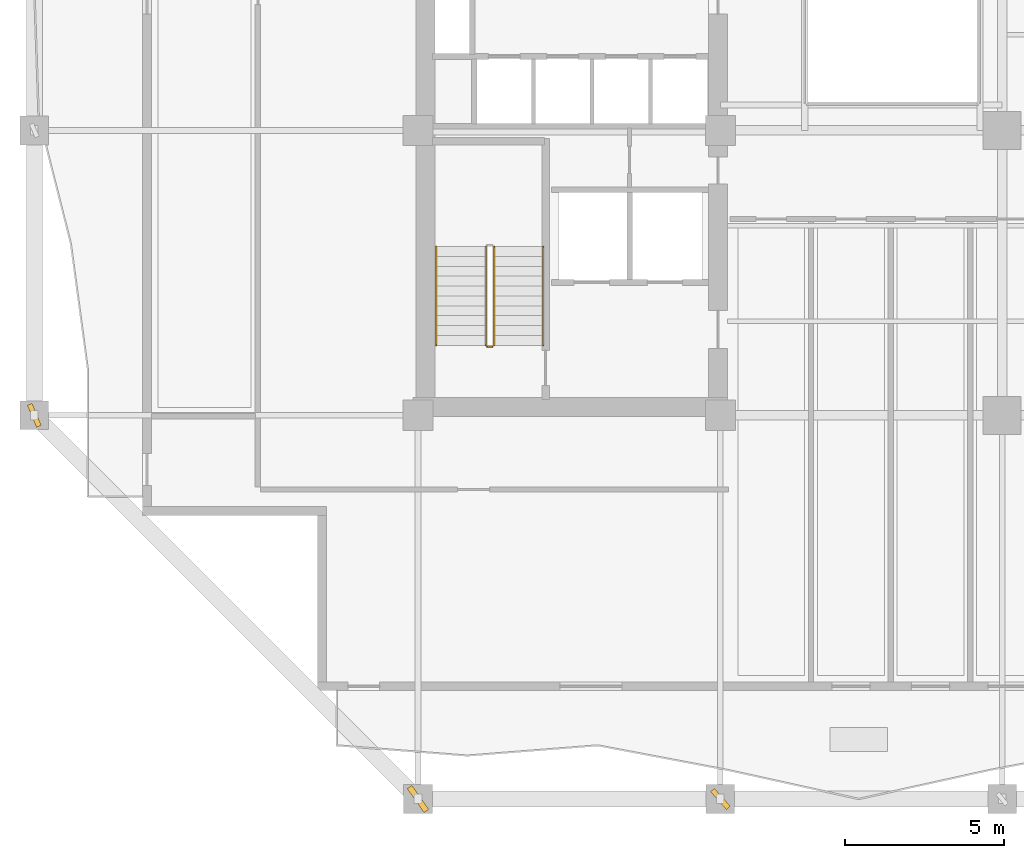
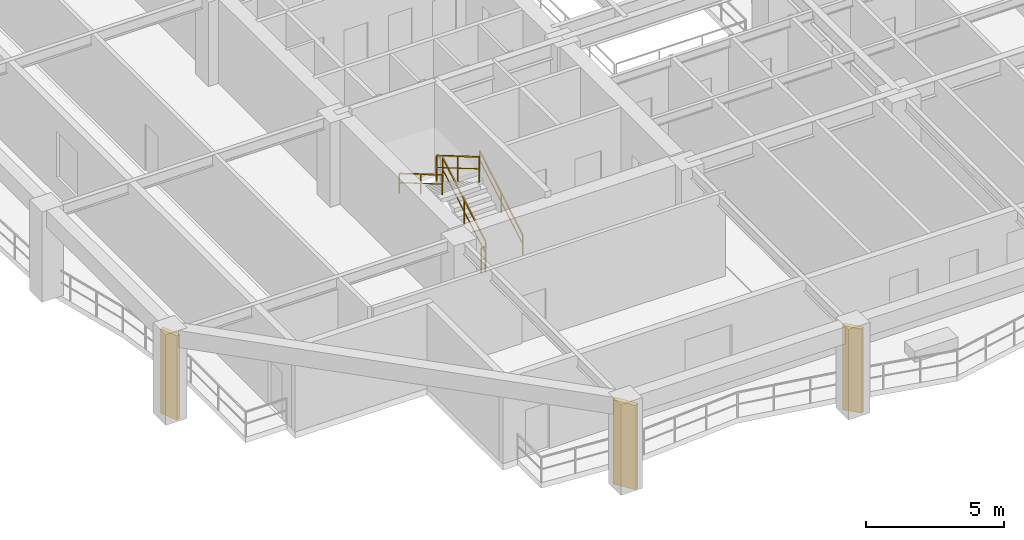
# One storey, part 7 of 13: 5 railings, 3 shading devices.
"""IFC4 building model written with IfcOpenShell, lengths in metres."""

from ifc_helpers import new_model, si_unit, direction, frame, origin, origin_2d, place, context, subcontext, project, spatial, rectangle, extrude, material, type_object, element, save


model = new_model("IFC4")

# Units and contexts
model_context = context("Model", 3, precision=1e-05, world=origin(), true_north=direction((0.0, 1.0)))
body_context = subcontext(model_context, "Body", "Model", "MODEL_VIEW")
ifc_project = project(units=[si_unit("LENGTHUNIT", "METRE"), si_unit("AREAUNIT", "SQUARE_METRE"), si_unit("VOLUMEUNIT", "CUBIC_METRE"), si_unit("PLANEANGLEUNIT", "RADIAN"), si_unit("MASSUNIT", "GRAM", prefix="KILO")], contexts=[model_context])

# Site, building, storey
site_placement = place(None, origin())
site = spatial("IfcSite", under=ifc_project, at=site_placement, CompositionType="ELEMENT")
building_placement = place(site_placement, origin())
building = spatial("IfcBuilding", under=site, at=building_placement, Name="Kundavana Baori Tower", CompositionType="ELEMENT")
storey_placement = place(building_placement, frame((0.0, 0.0, 70.0)))
storey = spatial("IfcBuildingStorey", under=building, at=storey_placement, Name="L16", CompositionType="ELEMENT", Elevation=70.0)

# Railings
ifc_material_1 = material(Name="Architectural Patinated Bronze Metalwork")
railing_type_1 = type_object("IfcRailingType", Name="RL-GRD-1150", PredefinedType="GUARDRAIL", material=ifc_material_1)
railing_1_placement = place(storey_placement, frame((17.840087890625, 17.449951171875, 0.181884765625)))
element("IfcRailing", 1, at=railing_1_placement, inside=storey, type_object=railing_type_1, Name="L16 ST1 stair guard 1", PredefinedType="GUARDRAIL", context=body_context, shape_type="SweptSolid", body=[
    extrude(rectangle(XDim=0.048095703125, YDim=0.048095703125, at=origin_2d()), frame((0.0, 0.0, 1.1259765625), z_axis=(0.0, 0.862598821094, 0.505888598258), x_axis=(-1.0, 0.0, 0.0)), (0.0, 0.0, 1.0), 3.593994140625),
    extrude(rectangle(XDim=0.03125, YDim=0.03125, at=origin_2d()), frame((0.0, 0.0, 0.597900390625), z_axis=(0.0, 0.862598821094, 0.505888598258), x_axis=(-1.0, 0.0, 0.0)), (0.0, 0.0, 1.0), 3.593994140625),
    extrude(rectangle(XDim=0.0419921875, YDim=0.0419921875, at=origin_2d()), origin(), (0.0, 0.0, 1.0), 1.101806640625),
    extrude(rectangle(XDim=0.0419921875, YDim=0.0419921875, at=origin_2d()), frame((0.0, 1.550048828125, 0.9091796875)), (0.0, 0.0, 1.0), 1.101806640625),
    extrude(rectangle(XDim=0.0419921875, YDim=0.0419921875, at=origin_2d()), frame((0.0, 3.10009765625, 1.818115234375)), (0.0, 0.0, 1.0), 1.101806640625),
])
railing_2_placement = place(storey_placement, frame((17.580078125, 20.550048828125, 2.181884765625)))
element("IfcRailing", 2, at=railing_2_placement, inside=storey, type_object=railing_type_1, Name="L16 ST1 stair guard 3", PredefinedType="GUARDRAIL", context=body_context, shape_type="SweptSolid", body=[
    extrude(rectangle(XDim=0.048095703125, YDim=0.048095703125, at=origin_2d()), frame((0.0, 0.0, 1.1259765625), z_axis=(0.0, -0.862598821094, 0.505888598258), x_axis=(1.0, 0.0, 0.0)), (0.0, 0.0, 1.0), 3.593994140625),
    extrude(rectangle(XDim=0.03125, YDim=0.03125, at=origin_2d()), frame((0.0, 0.0, 0.597900390625), z_axis=(0.0, -0.862598821094, 0.505888598258), x_axis=(1.0, 0.0, 0.0)), (0.0, 0.0, 1.0), 3.593994140625),
    extrude(rectangle(XDim=0.0419921875, YDim=0.0419921875, at=origin_2d()), origin(), (0.0, 0.0, 1.0), 1.101806640625),
    extrude(rectangle(XDim=0.0419921875, YDim=0.0419921875, at=origin_2d()), frame((0.0, -1.550048828125, 0.9091796875)), (0.0, 0.0, 1.0), 1.101806640625),
    extrude(rectangle(XDim=0.0419921875, YDim=0.0419921875, at=origin_2d()), frame((0.0, -3.10009765625, 1.818115234375)), (0.0, 0.0, 1.0), 1.101806640625),
])
railing_3_placement = place(storey_placement, frame((17.7900390625, 17.39990234375, 0.0)))
element("IfcRailing", 3, at=railing_3_placement, inside=storey, type_object=railing_type_1, Name="L16 ST1 stair guard 4", PredefinedType="GUARDRAIL", context=body_context, shape_type="SweptSolid", body=[
    extrude(rectangle(XDim=0.048095703125, YDim=0.048095703125, at=origin_2d()), frame((0.0, 0.0, 1.1259765625), z_axis=(-1.0, 0.0, 0.0), x_axis=(0.0, -1.0, 0.0)), (0.0, 0.0, 1.0), 0.16015625),
    extrude(rectangle(XDim=0.03125, YDim=0.03125, at=origin_2d()), frame((0.0, 0.0, 0.597900390625), z_axis=(-1.0, 0.0, 0.0), x_axis=(0.0, -1.0, 0.0)), (0.0, 0.0, 1.0), 0.16015625),
    extrude(rectangle(XDim=0.0419921875, YDim=0.0419921875, at=origin_2d()), origin(), (0.0, 0.0, 1.0), 1.101806640625),
    extrude(rectangle(XDim=0.0419921875, YDim=0.0419921875, at=origin_2d()), frame((-0.16015625, 0.0, 0.0)), (0.0, 0.0, 1.0), 1.101806640625),
])
ifc_material_2 = material(Name="Architectural Patinated Bronze Metalwork")
railing_type_2 = type_object("IfcRailingType", Name="RL-HND-920", PredefinedType="HANDRAIL", material=ifc_material_2)
railing_4_placement = place(storey_placement, frame((19.389892578125, 17.449951171875, 0.181884765625)))
element("IfcRailing", 4, at=railing_4_placement, inside=storey, type_object=railing_type_2, Name="L16 ST1 stair handrail 1", PredefinedType="HANDRAIL", context=body_context, shape_type="SweptSolid", body=[
    extrude(rectangle(XDim=0.048095703125, YDim=0.048095703125, at=origin_2d()), frame((0.0, 0.0, 0.8759765625), z_axis=(0.0, 0.862598821094, 0.505888598258), x_axis=(-1.0, 0.0, 0.0)), (0.0, 0.0, 1.0), 3.593994140625),
    extrude(rectangle(XDim=0.03125, YDim=0.03125, at=origin_2d()), frame((0.0, 0.0, 0.468017578125), z_axis=(0.0, 0.862598821094, 0.505888598258), x_axis=(-1.0, 0.0, 0.0)), (0.0, 0.0, 1.0), 3.593994140625),
    extrude(rectangle(XDim=0.0419921875, YDim=0.0419921875, at=origin_2d()), origin(), (0.0, 0.0, 1.0), 0.851806640625),
    extrude(rectangle(XDim=0.0419921875, YDim=0.0419921875, at=origin_2d()), frame((0.0, 1.550048828125, 0.9091796875)), (0.0, 0.0, 1.0), 0.851806640625),
    extrude(rectangle(XDim=0.0419921875, YDim=0.0419921875, at=origin_2d()), frame((0.0, 3.10009765625, 1.818115234375)), (0.0, 0.0, 1.0), 0.851806640625),
])
railing_5_placement = place(storey_placement, frame((16.030029296875, 20.550048828125, 2.181884765625)))
element("IfcRailing", 5, at=railing_5_placement, inside=storey, type_object=railing_type_2, Name="L16 ST1 stair handrail 2", PredefinedType="HANDRAIL", context=body_context, shape_type="SweptSolid", body=[
    extrude(rectangle(XDim=0.048095703125, YDim=0.048095703125, at=origin_2d()), frame((0.0, 0.0, 0.8759765625), z_axis=(0.0, -0.862598821094, 0.505888598258), x_axis=(1.0, 0.0, 0.0)), (0.0, 0.0, 1.0), 3.593994140625),
    extrude(rectangle(XDim=0.03125, YDim=0.03125, at=origin_2d()), frame((0.0, 0.0, 0.468017578125), z_axis=(0.0, -0.862598821094, 0.505888598258), x_axis=(1.0, 0.0, 0.0)), (0.0, 0.0, 1.0), 3.593994140625),
    extrude(rectangle(XDim=0.0419921875, YDim=0.0419921875, at=origin_2d()), origin(), (0.0, 0.0, 1.0), 0.851806640625),
    extrude(rectangle(XDim=0.0419921875, YDim=0.0419921875, at=origin_2d()), frame((0.0, -1.550048828125, 0.9091796875)), (0.0, 0.0, 1.0), 0.851806640625),
    extrude(rectangle(XDim=0.0419921875, YDim=0.0419921875, at=origin_2d()), frame((0.0, -3.10009765625, 1.818115234375)), (0.0, 0.0, 1.0), 0.851806640625),
])

# Shading devices
ifc_material_3 = material(Name="Red-Buff Dholpur Sandstone Cladding on Concrete C40/50", Category="masonry")
shading_device_type_1 = type_object("IfcShadingDeviceType", Name="SHD-FIN-750", PredefinedType="JALOUSIE", material=ifc_material_3)
for number, where, z_axis, x_axis, name in (
    (6, (24.949951171875, 3.199951171875, 0.0), (0.0, 0.0, 1.0), (0.746870345992, 0.664969688239, 0.0), "L16 Sweeping Dholpur Sandstone Facade Fin 2"),
    (7, (3.39990234375, 15.25, 0.0), (0.0, 0.0, 1.0), (0.922065927899, 0.387032846937, 0.0), "L16 Sweeping Dholpur Sandstone Facade Fin 5"),
):
    element("IfcShadingDevice", number, at=place(storey_placement, frame(where, z_axis=z_axis, x_axis=x_axis)), inside=storey, type_object=shading_device_type_1, Name=name, PredefinedType="JALOUSIE", context=body_context, shape_type="SweptSolid", body=[
        extrude(rectangle(XDim=0.159912109375, YDim=0.75, at=origin_2d()), origin(), (0.0, 0.0, 1.0), 3.719970703125),
    ])
ifc_material_4 = material(Name="Red-Buff Dholpur Sandstone Cladding on Concrete C40/50", Category="masonry")
shading_device_type_2 = type_object("IfcShadingDeviceType", Name="SHD-FIN-920", PredefinedType="JALOUSIE", material=ifc_material_4)
shading_device_placement = place(storey_placement, frame((15.449951171875, 3.199951171875, 0.0), z_axis=(0.0, 0.0, 1.0), x_axis=(0.817948952887, 0.575290805133, 0.0)))
element("IfcShadingDevice", 8, at=shading_device_placement, inside=storey, type_object=shading_device_type_2, Name="L16 Sweeping Dholpur Sandstone Facade Fin 1", PredefinedType="JALOUSIE", context=body_context, shape_type="SweptSolid", body=[
    extrude(rectangle(XDim=0.179931640625, YDim=0.919921875, at=origin_2d()), origin(), (0.0, 0.0, 1.0), 3.719970703125),
])

save(model, "model.ifc")
